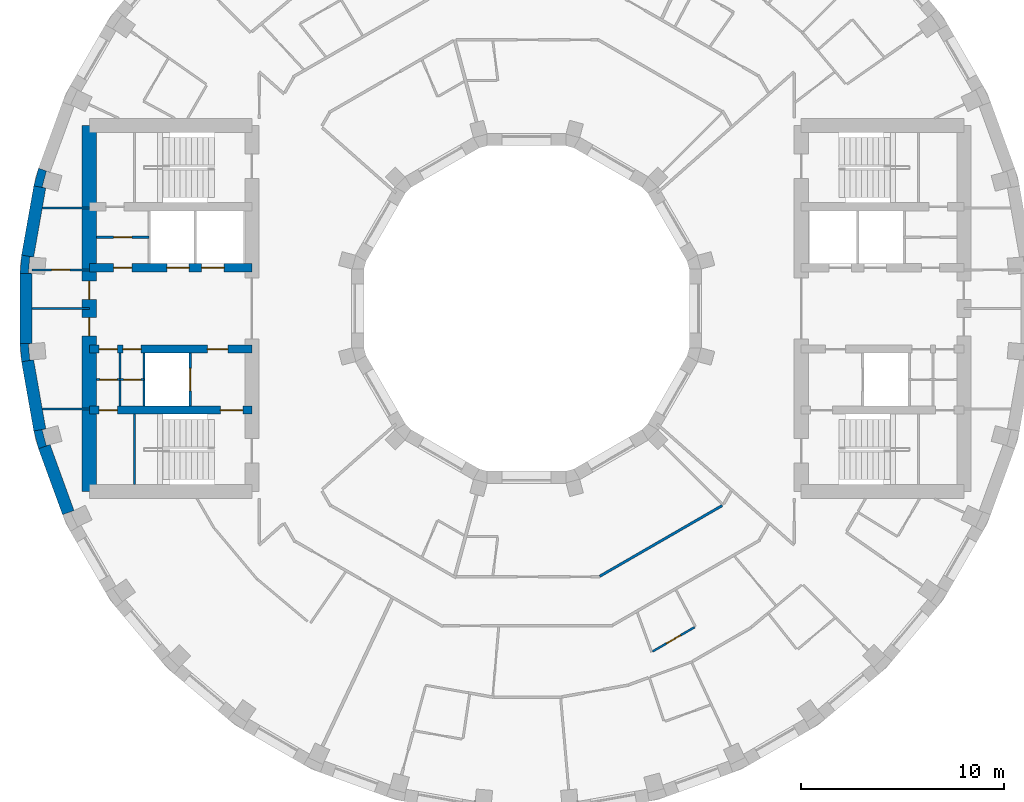
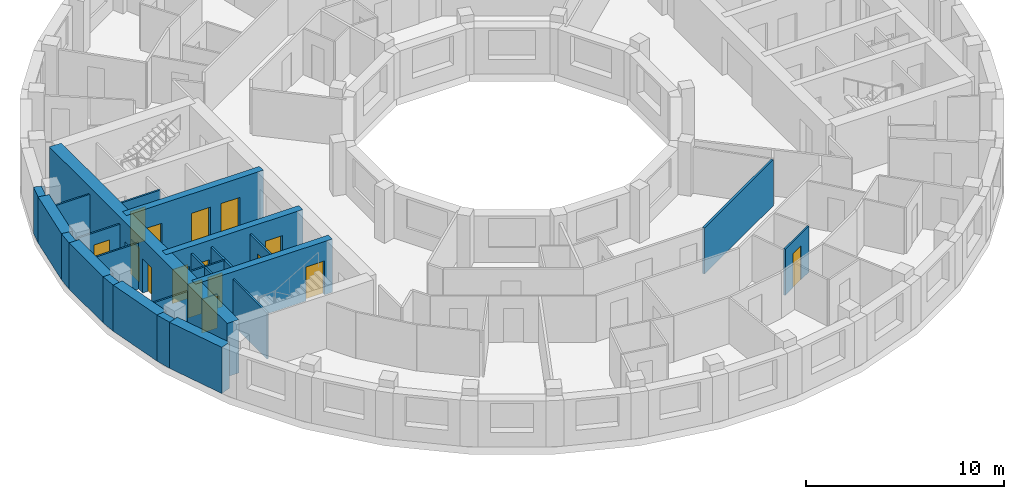
# One storey, part 5 of 13: 25 walls, 16 doors, 16 openings.
"""IFC4 building model written with IfcOpenShell, lengths in metres."""

import ifcopenshell
import ifcopenshell.guid

model = None  # the IFC model being written
_history = None  # IfcOwnerHistory: only IFC2X3 demands one
_inside = {}  # id of a spatial element -> (the spatial element, [elements in it])
_under = {}  # id of a project, library or spatial element -> (it, [spatial elements below it])
_declared = {}  # id of a project -> (the project, [libraries it declares])
_typed = {}  # id of a type object -> (the type object, [elements of that type])
_made_of = {}  # id of a material, layer set ... -> (it, [elements and type objects made of it])


def new_model(schema):
    """Start an empty IFC model of exactly this schema.

    Asked for "IFC4X3", IfcOpenShell would pick the latest addendum, in which some entities
    have other attributes; the version numbers below select the first issue.
    IFC2X3 requires an IfcOwnerHistory on every rooted entity: one is made here for all.
    """
    global model, _history
    if schema == "IFC4X3":
        model = ifcopenshell.file(schema_version=(4, 3, 0, 0))
    else:
        model = ifcopenshell.file(schema=schema)
    _inside.clear()
    _under.clear()
    _declared.clear()
    _typed.clear()
    _made_of.clear()
    _history = None
    if model.schema == "IFC2X3":
        org = make("IfcOrganization", Name="unknown")
        user = make(
            "IfcPersonAndOrganization",
            ThePerson=make("IfcPerson", FamilyName="unknown"),
            TheOrganization=org,
        )
        app = make(
            "IfcApplication",
            ApplicationDeveloper=org,
            Version="unknown",
            ApplicationFullName="unknown",
            ApplicationIdentifier="unknown",
        )
        _history = make(
            "IfcOwnerHistory",
            OwningUser=user,
            OwningApplication=app,
            ChangeAction="ADDED",
            CreationDate=0,
        )
    return model


def make(cls, **values):
    """One entity of the class cls with the attributes given. An attribute that is None is left unset."""
    return model.create_entity(
        cls, **{name: value for name, value in values.items() if value is not None}
    )


def rooted(cls, **values):
    """An entity with a GlobalId (a new one), such as an element, a storey or a relation."""
    return make(cls, GlobalId=ifcopenshell.guid.new(), OwnerHistory=_history, **values)


def si_unit(unit_type, name, prefix=None):
    """IfcSIUnit, for example si_unit("LENGTHUNIT", "METRE", prefix="MILLI")."""
    return make("IfcSIUnit", UnitType=unit_type, Prefix=prefix, Name=name)


def assignment(units):
    """IfcUnitAssignment: the units of a project."""
    return None if units is None else make("IfcUnitAssignment", Units=units)


def point(xyz):
    """IfcCartesianPoint."""
    return None if xyz is None else make("IfcCartesianPoint", Coordinates=xyz)


def direction(xyz):
    """IfcDirection."""
    return None if xyz is None else make("IfcDirection", DirectionRatios=xyz)


def frame(location, z_axis=None, x_axis=None):
    """IfcAxis2Placement3D, a coordinate frame: its origin and axes. An axis left out is left unset."""
    return make(
        "IfcAxis2Placement3D",
        Location=point(location),
        Axis=direction(z_axis),
        RefDirection=direction(x_axis),
    )


def frame_2d(location, x_axis=None):
    """IfcAxis2Placement2D, a coordinate frame in the plane: its origin and x axis."""
    return make(
        "IfcAxis2Placement2D", Location=point(location), RefDirection=direction(x_axis)
    )


def origin():
    """The frame at (0, 0, 0) with its axes left unset."""
    return frame((0.0, 0.0, 0.0))


def place(relative_to, where):
    """IfcLocalPlacement: puts the frame where relative to a parent placement (None: the world)."""
    return make(
        "IfcLocalPlacement", PlacementRelTo=relative_to, RelativePlacement=where
    )


def context(
    kind, dimensions, precision=None, world=None, true_north=None, identifier=None
):
    """IfcGeometricRepresentationContext, for example the 3D "Model" context."""
    return make(
        "IfcGeometricRepresentationContext",
        ContextIdentifier=identifier,
        ContextType=kind,
        CoordinateSpaceDimension=dimensions,
        Precision=precision,
        WorldCoordinateSystem=world,
        TrueNorth=true_north,
    )


def subcontext(parent, identifier, kind, view, scale=None):
    """IfcGeometricRepresentationSubContext, for example "Body" below "Model"."""
    return make(
        "IfcGeometricRepresentationSubContext",
        ContextIdentifier=identifier,
        ContextType=kind,
        ParentContext=parent,
        TargetScale=scale,
        TargetView=view,
    )


def project(units=None, contexts=None):
    """IfcProject with its units and contexts."""
    return rooted(
        "IfcProject",
        Name="project",
        RepresentationContexts=contexts,
        UnitsInContext=assignment(units),
    )


def spatial(cls, under=None, at=None, **own):
    """A site, building, storey or space (cls), placed at a placement, below another one or the project."""
    s = rooted(cls, ObjectPlacement=at, **own)
    if under is not None:
        _under.setdefault(under.id(), (under, []))[1].append(s)
    return s


def polyline(points):
    """IfcPolyline through the points."""
    return make("IfcPolyline", Points=[point(p) for p in points])


def profile(cls, at=None, kind="AREA", **sizes):
    """A parametric profile (cls). Its sizes go by their IFC names, for example OverallWidth=200.0."""
    return make(cls, ProfileType=kind, Position=at, **sizes)


def rectangle(**sizes):
    """IfcRectangleProfileDef."""
    return profile("IfcRectangleProfileDef", **sizes)


def outline(outer, holes=None, kind="AREA"):
    """IfcArbitraryClosedProfileDef: a profile drawn as a closed curve; with holes, ...WithVoids."""
    if holes is None:
        return make("IfcArbitraryClosedProfileDef", ProfileType=kind, OuterCurve=outer)
    return make(
        "IfcArbitraryProfileDefWithVoids",
        ProfileType=kind,
        OuterCurve=outer,
        InnerCurves=holes,
    )


def extrude(swept, where, along, depth):
    """IfcExtrudedAreaSolid: the profile swept, set in the frame where, extruded along a direction by depth."""
    return make(
        "IfcExtrudedAreaSolid",
        SweptArea=swept,
        Position=where,
        ExtrudedDirection=direction(along),
        Depth=depth,
    )


def shape(context_of_items, identifier, shape_type, items):
    """IfcShapeRepresentation: the items that make up one representation, for example the "Body"."""
    return make(
        "IfcShapeRepresentation",
        ContextOfItems=context_of_items,
        RepresentationIdentifier=identifier,
        RepresentationType=shape_type,
        Items=items,
    )


def material(Name=None, Category=None):
    """IfcMaterial."""
    return make("IfcMaterial", Name=Name, Category=Category)


def layer(
    of_material, thickness, ventilated=None, Name=None, Category=None, Priority=None
):
    """IfcMaterialLayer: one layer of a wall or slab, of a material (None: an air gap)."""
    return make(
        "IfcMaterialLayer",
        Material=of_material,
        LayerThickness=thickness,
        IsVentilated=ventilated,
        Name=Name,
        Category=Category,
        Priority=Priority,
    )


def layer_set(layers, Name=None):
    """IfcMaterialLayerSet."""
    return make("IfcMaterialLayerSet", MaterialLayers=layers, LayerSetName=Name)


def made_of(thing, what):
    """Note that an element or type object is made of a material, layer set ...; save() writes the relation."""
    if what is not None:
        _made_of.setdefault(what.id(), (what, []))[1].append(thing)
    return thing


def type_object(cls, material=None, **own):
    """A type object (cls), such as IfcWallType, which elements share."""
    return made_of(rooted(cls, **own), material)


def element(
    cls,
    number,
    at=None,
    inside=None,
    cuts=None,
    type_object=None,
    material=None,
    context=None,
    identifier="Body",
    shape_type=None,
    held_by="IfcProductDefinitionShape",
    body=None,
    shapes=None,
    **own,
):
    """One element of the class cls, such as IfcWall. Its Tag is "e" and its number.

    at: its placement. inside: the storey or other place that contains it. cuts: it is an
    opening in that element (IfcRelVoidsElement). A single representation is given by context,
    identifier, shape_type and body (its items); several are given by shapes. held_by: the class
    of the entity that holds the representations. save() writes the other relations.
    """
    e = rooted(cls, Tag="e%d" % number, ObjectPlacement=at, **own)
    if body is not None:
        shapes = [shape(context, identifier, shape_type, body)]
    if shapes is not None:
        e.Representation = make(held_by, Representations=shapes)
    if inside is not None:
        _inside.setdefault(inside.id(), (inside, []))[1].append(e)
    if cuts is not None:
        rooted(
            "IfcRelVoidsElement", RelatingBuildingElement=cuts, RelatedOpeningElement=e
        )
    if type_object is not None:
        _typed.setdefault(type_object.id(), (type_object, []))[1].append(e)
    return made_of(e, material)


def fill(opening, filler):
    """IfcRelFillsElement: the door or window that sits in an opening."""
    return rooted(
        "IfcRelFillsElement",
        RelatingOpeningElement=opening,
        RelatedBuildingElement=filler,
    )


def aggregate(whole, parts):
    """IfcRelAggregates: a whole, such as a stair, and the parts it consists of."""
    return rooted("IfcRelAggregates", RelatingObject=whole, RelatedObjects=parts)


def save(model, path):
    """Write the relations noted so far, then the file.

    IfcRelAggregates (storeys below a building ...), IfcRelContainedInSpatialStructure (elements
    in a storey), IfcRelDefinesByType, IfcRelAssociatesMaterial and IfcRelDeclares: one each for
    every whole, place, type object, material and project.
    """
    for whole, parts in _under.values():
        aggregate(whole, parts)
    for where, things in _inside.values():
        rooted(
            "IfcRelContainedInSpatialStructure",
            RelatedElements=things,
            RelatingStructure=where,
        )
    for kind, things in _typed.values():
        rooted("IfcRelDefinesByType", RelatedObjects=things, RelatingType=kind)
    for what, things in _made_of.values():
        rooted("IfcRelAssociatesMaterial", RelatedObjects=things, RelatingMaterial=what)
    for by, libraries in _declared.values():
        rooted("IfcRelDeclares", RelatingContext=by, RelatedDefinitions=libraries)
    model.write(path)


model = new_model("IFC4")

# Units and contexts
model_context = context("Model", 3, precision=1e-05, world=origin(), true_north=direction((0.0, 1.0)))
body_context = subcontext(model_context, "Body", "Model", "MODEL_VIEW")
ifc_project = project(units=[si_unit("LENGTHUNIT", "METRE"), si_unit("AREAUNIT", "SQUARE_METRE"), si_unit("VOLUMEUNIT", "CUBIC_METRE"), si_unit("PLANEANGLEUNIT", "RADIAN"), si_unit("MASSUNIT", "GRAM", prefix="KILO")], contexts=[model_context])

# Site, building, storey
site_placement = place(None, origin())
site = spatial("IfcSite", under=ifc_project, at=site_placement, CompositionType="ELEMENT")
building_placement = place(site_placement, origin())
building = spatial("IfcBuilding", under=site, at=building_placement, Name="Saqina Gate Tower", CompositionType="ELEMENT")
storey_placement = place(building_placement, frame((0.0, 0.0, 203.699951171875)))
storey = spatial("IfcBuildingStorey", under=building, at=storey_placement, Name="L58", CompositionType="ELEMENT", Elevation=203.699951171875)

# Walls
ifc_material_1 = material(Name="Brick masonry (buff)", Category="masonry")
wall_type_1 = type_object("IfcWallType", Name="BRICK PIER COPING BUFF", PredefinedType="SOLIDWALL", material=ifc_material_1)
wall_1_placement = place(storey_placement, origin())
element("IfcWall", 1, at=wall_1_placement, inside=storey, type_object=wall_type_1, Name="Pier cap L58 column 17", PredefinedType="SOLIDWALL", context=body_context, shape_type="SweptSolid", body=[
    extrude(outline(polyline([(-24.22705078125, 6.0234375), (-23.635986328125, 5.919189453125), (-23.81689453125, 5.967529296875), (-23.610107421875, 6.740478515625), (-23.428955078125, 6.69189453125), (-23.992919921875, 6.897216796875), (-24.22705078125, 6.0234375)])), origin(), (0.0, 0.0, 1.0), 2.85009765625),
])
wall_2_placement = place(storey_placement, origin())
element("IfcWall", 2, at=wall_2_placement, inside=storey, type_object=wall_type_1, Name="Pier cap L58 column 18", PredefinedType="SOLIDWALL", context=body_context, shape_type="SweptSolid", body=[
    extrude(outline(polyline([(-24.825927734375, 2.6259765625), (-24.90478515625, 1.724853515625), (-24.304931640625, 1.724853515625), (-24.491455078125, 1.7412109375), (-24.421630859375, 2.5380859375), (-24.235107421875, 2.521728515625), (-24.825927734375, 2.6259765625)])), origin(), (0.0, 0.0, 1.0), 2.85009765625),
])
wall_3_placement = place(storey_placement, origin())
element("IfcWall", 3, at=wall_3_placement, inside=storey, type_object=wall_type_1, Name="Pier cap L58 column 19", PredefinedType="SOLIDWALL", context=body_context, shape_type="SweptSolid", body=[
    extrude(outline(polyline([(-24.90478515625, -1.724853515625), (-24.825927734375, -2.6259765625), (-24.235107421875, -2.521728515625), (-24.421630859375, -2.5380859375), (-24.491455078125, -1.7412109375), (-24.304931640625, -1.724853515625), (-24.90478515625, -1.724853515625)])), origin(), (0.0, 0.0, 1.0), 2.85009765625),
])
wall_4_placement = place(storey_placement, origin())
element("IfcWall", 4, at=wall_4_placement, inside=storey, type_object=wall_type_1, Name="Pier cap L58 column 20", PredefinedType="SOLIDWALL", context=body_context, shape_type="SweptSolid", body=[
    extrude(outline(polyline([(-24.22705078125, -6.0234375), (-23.992919921875, -6.897216796875), (-23.428955078125, -6.69189453125), (-23.610107421875, -6.740478515625), (-23.81689453125, -5.967529296875), (-23.635986328125, -5.919189453125), (-24.22705078125, -6.0234375)])), origin(), (0.0, 0.0, 1.0), 2.85009765625),
])
ifc_material_2 = material(Name="Gypsum board on steel studs", Category="steel")
ifc_layer_1 = layer(ifc_material_2, 0.10009765625)
ifc_layer_set_1 = layer_set([ifc_layer_1], Name="CORE PARTITION")
wall_type_2 = type_object("IfcWallType", Name="CORE PARTITION", PredefinedType="PARTITIONING", material=ifc_layer_set_1)
wall_5_placement = place(storey_placement, frame((-21.5, 4.949951171875, 0.0), z_axis=(0.0, 0.0, 1.0), x_axis=(-1.0, 0.0, 0.0)))
element("IfcWall", 5, at=wall_5_placement, inside=storey, type_object=wall_type_2, Name="L58-CP-W01", PredefinedType="PARTITIONING", context=body_context, shape_type="SweptSolid", body=[
    extrude(rectangle(XDim=2.306884765625, YDim=0.10009765625, at=frame_2d((1.1533203125, 0.0))), origin(), (0.0, 0.0, 1.0), 2.85009765625),
])

# Wall, opening, door
wall_6_placement = place(storey_placement, frame((-21.5, 1.89990234375, 0.0), z_axis=(0.0, 0.0, 1.0), x_axis=(-1.0, 0.0, 0.0)))
wall_6 = element("IfcWall", 6, at=wall_6_placement, inside=storey, type_object=wall_type_2, Name="L58-CP-W02", PredefinedType="PARTITIONING", context=body_context, shape_type="SweptSolid", body=[
    extrude(rectangle(XDim=2.804931640625, YDim=0.10009765625, at=frame_2d((1.40234375, 0.0))), origin(), (0.0, 0.0, 1.0), 2.85009765625),
])
opening_1_placement = place(wall_6_placement, frame((0.952392578125, 0.0, 0.0)))
opening_1 = element("IfcOpeningElement", 7, at=opening_1_placement, cuts=wall_6, Name="Opening G17-D110", PredefinedType="OPENING", context=body_context, shape_type="SweptSolid", body=[
    extrude(rectangle(XDim=0.89990234375, YDim=2.10009765625, at=frame_2d((0.449951171875, 1.050048828125))), frame((0.0, 0.06201171875, 0.0), z_axis=(0.0, -1.0, 0.0), x_axis=(1.0, 0.0, 0.0)), (0.0, 0.0, 1.0), 0.1240234375),
])
ifc_material_3 = material(Name="Steel-framed fire door leaf, EI 60", Category="steel")
door_type_1 = type_object("IfcDoorType", Name="SERVICE ROOM DOOR 900", OperationType="SINGLE_SWING_LEFT", PredefinedType="DOOR", material=ifc_material_3)
door_1_placement = place(opening_1_placement, frame((0.89990234375, 0.0, 0.0), z_axis=(0.0, 0.0, 1.0), x_axis=(-1.0, 0.0, 0.0)))
door_1 = element("IfcDoor", 8, at=door_1_placement, inside=storey, type_object=door_type_1, Name="L58-CD-W21", OperationType="SINGLE_SWING_RIGHT", OverallHeight=2.10009765625, OverallWidth=0.89990234375, PredefinedType="DOOR", context=body_context, shape_type="SweptSolid", body=[
    extrude(rectangle(XDim=0.89990234375, YDim=2.10009765625, at=frame_2d((0.449951171875, 1.050048828125))), frame((0.0, 0.02490234375, 0.0), z_axis=(0.0, -1.0, 0.0), x_axis=(1.0, 0.0, 0.0)), (0.0, 0.0, 1.0), 0.050048828125),
])
fill(opening_1, door_1)

# Walls
wall_7_placement = place(storey_placement, frame((-21.5, -4.949951171875, 0.0), z_axis=(0.0, 0.0, 1.0), x_axis=(-1.0, 0.0, 0.0)))
element("IfcWall", 9, at=wall_7_placement, inside=storey, type_object=wall_type_2, Name="L58-CP-W03", PredefinedType="PARTITIONING", context=body_context, shape_type="SweptSolid", body=[
    extrude(rectangle(XDim=2.306884765625, YDim=0.10009765625, at=frame_2d((1.1533203125, 0.0))), origin(), (0.0, 0.0, 1.0), 2.85009765625),
])
wall_8_placement = place(storey_placement, frame((-21.5, 0.0, 0.0), z_axis=(0.0, 0.0, 1.0), x_axis=(-1.0, 0.0, 0.0)))
element("IfcWall", 10, at=wall_8_placement, inside=storey, type_object=wall_type_2, Name="L58-CP-W04", PredefinedType="PARTITIONING", context=body_context, shape_type="SweptSolid", body=[
    extrude(rectangle(XDim=2.804931640625, YDim=0.10009765625, at=frame_2d((1.40234375, 0.0))), origin(), (0.0, 0.0, 1.0), 2.85009765625),
])
wall_9_placement = place(storey_placement, frame((-19.97998046875, -4.800048828125, 0.0), z_axis=(0.0, 0.0, 1.0), x_axis=(0.0, 1.0, 0.0)))
element("IfcWall", 11, at=wall_9_placement, inside=storey, type_object=wall_type_2, Name="L58-CP-W09", PredefinedType="PARTITIONING", context=body_context, shape_type="SweptSolid", body=[
    extrude(rectangle(XDim=2.60009765625, YDim=0.10009765625, at=frame_2d((1.300048828125, 0.0))), origin(), (0.0, 0.0, 1.0), 2.85009765625),
])

# Wall, opening, door
wall_10_placement = place(storey_placement, frame((-18.56005859375, 3.5, 0.0), z_axis=(0.0, 0.0, 1.0), x_axis=(-1.0, 0.0, 0.0)))
wall_10 = element("IfcWall", 12, at=wall_10_placement, inside=storey, type_object=wall_type_2, Name="L58-CP-W10", PredefinedType="PARTITIONING", context=body_context, shape_type="SweptSolid", body=[
    extrude(rectangle(XDim=2.58984375, YDim=0.10009765625, at=frame_2d((1.294921875, 0.0))), origin(), (0.0, 0.0, 1.0), 2.85009765625),
])
opening_2_placement = place(wall_10_placement, frame((0.844970703125, 0.0, 0.0)))
opening_2 = element("IfcOpeningElement", 13, at=opening_2_placement, cuts=wall_10, Name="Opening G17-D113", PredefinedType="OPENING", context=body_context, shape_type="SweptSolid", body=[
    extrude(rectangle(XDim=0.89990234375, YDim=2.10009765625, at=frame_2d((0.449951171875, 1.050048828125))), frame((0.0, 0.06201171875, 0.0), z_axis=(0.0, -1.0, 0.0), x_axis=(1.0, 0.0, 0.0)), (0.0, 0.0, 1.0), 0.1240234375),
])
door_2_placement = place(opening_2_placement, frame((0.89990234375, 0.0, 0.0), z_axis=(0.0, 0.0, 1.0), x_axis=(-1.0, 0.0, 0.0)))
door_2 = element("IfcDoor", 14, at=door_2_placement, inside=storey, type_object=door_type_1, Name="L58-CD-W24", OperationType="SINGLE_SWING_LEFT", OverallHeight=2.10009765625, OverallWidth=0.89990234375, PredefinedType="DOOR", context=body_context, shape_type="SweptSolid", body=[
    extrude(rectangle(XDim=0.89990234375, YDim=2.10009765625, at=frame_2d((0.449951171875, 1.050048828125))), frame((0.0, 0.02490234375, 0.0), z_axis=(0.0, -1.0, 0.0), x_axis=(1.0, 0.0, 0.0)), (0.0, 0.0, 1.0), 0.050048828125),
])
fill(opening_2, door_2)

wall_11_placement = place(storey_placement, frame((-18.81005859375, -3.5, 0.0), z_axis=(0.0, 0.0, 1.0), x_axis=(-1.0, 0.0, 0.0)))
wall_11 = element("IfcWall", 15, at=wall_11_placement, inside=storey, type_object=wall_type_2, Name="L58-CP-W11", PredefinedType="PARTITIONING", context=body_context, shape_type="SweptSolid", body=[
    extrude(rectangle(XDim=1.169921875, YDim=0.10009765625, at=frame_2d((0.5849609375, 0.0))), origin(), (0.0, 0.0, 1.0), 2.85009765625),
])
opening_3_placement = place(wall_11_placement, frame((0.14990234375, 0.0, 0.0)))
opening_3 = element("IfcOpeningElement", 16, at=opening_3_placement, cuts=wall_11, Name="Opening G17-D115", PredefinedType="OPENING", context=body_context, shape_type="SweptSolid", body=[
    extrude(rectangle(XDim=0.85009765625, YDim=2.10009765625, at=frame_2d((0.425048828125, 1.050048828125))), frame((0.0, 0.06201171875, 0.0), z_axis=(0.0, -1.0, 0.0), x_axis=(1.0, 0.0, 0.0)), (0.0, 0.0, 1.0), 0.1240234375),
])
ifc_material_4 = material(Name="Steel-framed fire door leaf, EI 60", Category="steel")
door_type_2 = type_object("IfcDoorType", Name="SERVICE ROOM DOOR 850", OperationType="SINGLE_SWING_LEFT", PredefinedType="DOOR", material=ifc_material_4)
door_3_placement = place(opening_3_placement, origin())
door_3 = element("IfcDoor", 17, at=door_3_placement, inside=storey, type_object=door_type_2, Name="L58-CD-W26", OperationType="SINGLE_SWING_LEFT", OverallHeight=2.10009765625, OverallWidth=0.85009765625, PredefinedType="DOOR", context=body_context, shape_type="SweptSolid", body=[
    extrude(rectangle(XDim=0.85009765625, YDim=2.10009765625, at=frame_2d((0.425048828125, 1.050048828125))), frame((0.0, 0.02490234375, 0.0), z_axis=(0.0, -1.0, 0.0), x_axis=(1.0, 0.0, 0.0)), (0.0, 0.0, 1.0), 0.050048828125),
])
fill(opening_3, door_3)

wall_12_placement = place(storey_placement, frame((-19.97998046875, -3.5, 0.0), z_axis=(0.0, 0.0, 1.0), x_axis=(-1.0, 0.0, 0.0)))
wall_12 = element("IfcWall", 18, at=wall_12_placement, inside=storey, type_object=wall_type_2, Name="L58-CP-W12", PredefinedType="PARTITIONING", context=body_context, shape_type="SweptSolid", body=[
    extrude(rectangle(XDim=1.169921875, YDim=0.10009765625, at=frame_2d((0.5849609375, 0.0))), origin(), (0.0, 0.0, 1.0), 2.85009765625),
])
opening_4_placement = place(wall_12_placement, frame((0.14990234375, 0.0, 0.0)))
opening_4 = element("IfcOpeningElement", 19, at=opening_4_placement, cuts=wall_12, Name="Opening G17-D116", PredefinedType="OPENING", context=body_context, shape_type="SweptSolid", body=[
    extrude(rectangle(XDim=0.85009765625, YDim=2.10009765625, at=frame_2d((0.425048828125, 1.050048828125))), frame((0.0, 0.06201171875, 0.0), z_axis=(0.0, -1.0, 0.0), x_axis=(1.0, 0.0, 0.0)), (0.0, 0.0, 1.0), 0.1240234375),
])
door_4_placement = place(opening_4_placement, origin())
door_4 = element("IfcDoor", 20, at=door_4_placement, inside=storey, type_object=door_type_2, Name="L58-CD-W27", OperationType="SINGLE_SWING_RIGHT", OverallHeight=2.10009765625, OverallWidth=0.85009765625, PredefinedType="DOOR", context=body_context, shape_type="SweptSolid", body=[
    extrude(rectangle(XDim=0.85009765625, YDim=2.10009765625, at=frame_2d((0.425048828125, 1.050048828125))), frame((0.0, 0.02490234375, 0.0), z_axis=(0.0, -1.0, 0.0), x_axis=(1.0, 0.0, 0.0)), (0.0, 0.0, 1.0), 0.050048828125),
])
fill(opening_4, door_4)

# Walls
ifc_material_5 = material(Name="Glazed ceramic tile", Category="ceramic")
ifc_layer_2 = layer(ifc_material_5, 0.60009765625)
ifc_layer_set_2 = layer_set([ifc_layer_2], Name="FW-TILE")
wall_type_3 = type_object("IfcWallType", Name="FW-TILE", PredefinedType="SOLIDWALL", material=ifc_layer_set_2)
for number, where, z_axis, x_axis, name in (
    (21, (-23.931640625, 5.97119140625, 0.0), (0.0, 0.0, 1.0), (-0.173607684551, -0.984814892183, 0.0), "Facade wall L58 facet 17"),
    (22, (-24.530517578125, -2.573974609375, 0.0), (0.0, 0.0, 1.0), (0.173607684551, -0.984814892183, 0.0), "Facade wall L58 facet 19"),
):
    element("IfcWall", number, at=place(storey_placement, frame(where, z_axis=z_axis, x_axis=x_axis)), inside=storey, type_object=wall_type_3, Name=name, PredefinedType="SOLIDWALL", context=body_context, shape_type="SweptSolid", body=[
        extrude(rectangle(XDim=3.44970703125, YDim=0.60009765625, at=frame_2d((1.724853515625, 0.0))), origin(), (0.0, 0.0, 1.0), 2.85009765625),
    ])
ifc_material_6 = material(Name="Glazed ceramic tile (dark blue)", Category="ceramic")
ifc_layer_3 = layer(ifc_material_6, 0.60009765625)
ifc_layer_set_3 = layer_set([ifc_layer_3], Name="FW-TILE-CB")
wall_type_4 = type_object("IfcWallType", Name="FW-TILE-CB", PredefinedType="SOLIDWALL", material=ifc_layer_set_3)
wall_13_placement = place(storey_placement, frame((-23.7109375, -6.79443359375, 0.0), z_axis=(0.0, 0.0, 1.0), x_axis=(0.342032843455, -0.93968799822, 0.0)))
element("IfcWall", 23, at=wall_13_placement, inside=storey, type_object=wall_type_4, Name="Facade wall L58 facet 20", PredefinedType="SOLIDWALL", context=body_context, shape_type="SweptSolid", body=[
    extrude(rectangle(XDim=3.44970703125, YDim=0.60009765625, at=frame_2d((1.724853515625, 0.0))), origin(), (0.0, 0.0, 1.0), 2.85009765625),
])
ifc_material_7 = material(Name="Glazed ceramic tile (white)", Category="ceramic")
ifc_layer_4 = layer(ifc_material_7, 0.60009765625)
ifc_layer_set_4 = layer_set([ifc_layer_4], Name="FW-TILE-WH")
wall_type_5 = type_object("IfcWallType", Name="FW-TILE-WH", PredefinedType="SOLIDWALL", material=ifc_layer_set_4)
wall_14_placement = place(storey_placement, frame((-24.60498046875, 1.724853515625, 0.0), z_axis=(0.0, 0.0, 1.0), x_axis=(0.0, -1.0, 0.0)))
element("IfcWall", 24, at=wall_14_placement, inside=storey, type_object=wall_type_5, Name="Facade wall L58 facet 18", PredefinedType="SOLIDWALL", context=body_context, shape_type="SweptSolid", body=[
    extrude(rectangle(XDim=3.44970703125, YDim=0.60009765625, at=frame_2d((1.724853515625, 0.0))), origin(), (0.0, 0.0, 1.0), 2.85009765625),
])

# Wall, opening, door
ifc_material_8 = material(Name="Gypsum board on steel studs, 100 mm", Category="steel")
ifc_layer_5 = layer(ifc_material_8, 0.10009765625)
ifc_layer_set_5 = layer_set([ifc_layer_5], Name="PARTITION 100")
wall_type_6 = type_object("IfcWallType", Name="PARTITION 100", PredefinedType="PARTITIONING", material=ifc_layer_set_5)
wall_15_placement = place(storey_placement, frame((6.192138671875, -16.863037109375, 0.0), z_axis=(0.0, 0.0, 1.0), x_axis=(0.866112296403, 0.49984946736, 0.0)))
wall_15 = element("IfcWall", 25, at=wall_15_placement, inside=storey, type_object=wall_type_6, Name="PARTITION PW3-42", PredefinedType="PARTITIONING", context=body_context, shape_type="SweptSolid", body=[
    extrude(rectangle(XDim=2.385009765625, YDim=0.10009765625, at=frame_2d((1.1923828125, 0.0))), origin(), (0.0, 0.0, 1.0), 2.85009765625),
])
opening_5_placement = place(wall_15_placement, frame((0.79150390625, 0.0, 0.0)))
opening_5 = element("IfcOpeningElement", 26, at=opening_5_placement, cuts=wall_15, Name="Opening G17-D41", PredefinedType="OPENING", context=body_context, shape_type="SweptSolid", body=[
    extrude(rectangle(XDim=0.800048828125, YDim=2.10009765625, at=frame_2d((0.39990234375, 1.050048828125))), frame((0.0, 0.06201171875, 0.0), z_axis=(0.0, -1.0, 0.0), x_axis=(1.0, 0.0, 0.0)), (0.0, 0.0, 1.0), 0.1240234375),
])
ifc_material_9 = material(Name="Timber door leaf, 800 mm", Category="wood")
door_type_3 = type_object("IfcDoorType", Name="DOOR 800 TIMBER", OperationType="SINGLE_SWING_LEFT", PredefinedType="DOOR", material=ifc_material_9)
door_5_placement = place(opening_5_placement, frame((0.800048828125, 0.0, 0.0), z_axis=(0.0, 0.0, 1.0), x_axis=(-1.0, 0.0, 0.0)))
door_5 = element("IfcDoor", 27, at=door_5_placement, inside=storey, type_object=door_type_3, Name="DOOR G17-D41", OperationType="SINGLE_SWING_RIGHT", OverallHeight=2.10009765625, OverallWidth=0.800048828125, PredefinedType="DOOR", context=body_context, shape_type="SweptSolid", body=[
    extrude(rectangle(XDim=0.800048828125, YDim=2.10009765625, at=frame_2d((0.39990234375, 1.050048828125))), frame((0.0, 0.02490234375, 0.0), z_axis=(0.0, -1.0, 0.0), x_axis=(1.0, 0.0, 0.0)), (0.0, 0.0, 1.0), 0.050048828125),
])
fill(opening_5, door_5)

# Wall
ifc_material_10 = material(Name="Gypsum board on steel studs, 125 mm, fire rated", Category="steel")
ifc_layer_6 = layer(ifc_material_10, 0.125)
ifc_layer_set_6 = layer_set([ifc_layer_6], Name="PARTITION EI 30 125")
wall_type_7 = type_object("IfcWallType", Name="PARTITION EI 30 125", PredefinedType="PARTITIONING", material=ifc_layer_set_6)
wall_16_placement = place(storey_placement, frame((3.591064453125, -13.168701171875, 0.0), z_axis=(0.0, 0.0, 1.0), x_axis=(0.866023753919, 0.50000285764, 0.0)))
element("IfcWall", 28, at=wall_16_placement, inside=storey, type_object=wall_type_7, Name="PARTITION PW1-30", PredefinedType="PARTITIONING", context=body_context, shape_type="SweptSolid", body=[
    extrude(rectangle(XDim=6.958984375, YDim=0.125, at=frame_2d((3.4794921875, 0.0))), origin(), (0.0, 0.0, 1.0), 2.85009765625),
])

# Wall, opening, door
ifc_material_11 = material(Name="Autoclaved aerated concrete block", Category="concrete")
ifc_layer_7 = layer(ifc_material_11, 0.1201171875)
ifc_layer_set_7 = layer_set([ifc_layer_7], Name="SHAFT PARTITION")
wall_type_8 = type_object("IfcWallType", Name="SHAFT PARTITION", PredefinedType="PARTITIONING", material=ifc_layer_set_7)
wall_17_placement = place(storey_placement, frame((-16.530029296875, -4.800048828125, 0.0), z_axis=(0.0, 0.0, 1.0), x_axis=(0.0, 1.0, 0.0)))
wall_17 = element("IfcWall", 29, at=wall_17_placement, inside=storey, type_object=wall_type_8, Name="L58-CP-W07", PredefinedType="PARTITIONING", context=body_context, shape_type="SweptSolid", body=[
    extrude(rectangle(XDim=2.60009765625, YDim=0.1201171875, at=frame_2d((1.300048828125, 0.0))), origin(), (0.0, 0.0, 1.0), 2.85009765625),
])
opening_6_placement = place(wall_17_placement, frame((0.75, 0.0, 0.0)))
opening_6 = element("IfcOpeningElement", 30, at=opening_6_placement, cuts=wall_17, Name="Opening G17-LD6", PredefinedType="OPENING", context=body_context, shape_type="SweptSolid", body=[
    extrude(rectangle(XDim=1.10009765625, YDim=2.10009765625, at=frame_2d((0.550048828125, 1.050048828125))), frame((0.0, 0.072021484375, 0.0), z_axis=(0.0, -1.0, 0.0), x_axis=(1.0, 0.0, 0.0)), (0.0, 0.0, 1.0), 0.14404296875),
])
ifc_material_12 = material(Name="Stainless steel", Category="steel")
door_type_4 = type_object("IfcDoorType", Name="LANDING DOOR", OperationType="DOUBLE_DOOR_SLIDING", PredefinedType="DOOR", material=ifc_material_12)
door_6_placement = place(opening_6_placement, origin())
door_6 = element("IfcDoor", 31, at=door_6_placement, inside=storey, type_object=door_type_4, Name="LANDING DOOR FF2", OperationType="DOUBLE_DOOR_SLIDING", OverallHeight=2.10009765625, OverallWidth=1.10009765625, PredefinedType="DOOR", context=body_context, shape_type="SweptSolid", body=[
    extrude(rectangle(XDim=1.10009765625, YDim=2.10009765625, at=frame_2d((0.550048828125, 1.050048828125))), frame((0.0, 0.02490234375, 0.0), z_axis=(0.0, -1.0, 0.0), x_axis=(1.0, 0.0, 0.0)), (0.0, 0.0, 1.0), 0.050048828125),
])
fill(opening_6, door_6)

# Walls
wall_18_placement = place(storey_placement, frame((-18.81005859375, -4.800048828125, 0.0), z_axis=(0.0, 0.0, 1.0), x_axis=(0.0, 1.0, 0.0)))
element("IfcWall", 32, at=wall_18_placement, inside=storey, type_object=wall_type_8, Name="L58-CP-W08", PredefinedType="PARTITIONING", context=body_context, shape_type="SweptSolid", body=[
    extrude(rectangle(XDim=2.60009765625, YDim=0.1201171875, at=frame_2d((1.300048828125, 0.0))), origin(), (0.0, 0.0, 1.0), 2.85009765625),
])
ifc_material_13 = material(Name="Autoclaved aerated concrete block", Category="concrete")
ifc_layer_8 = layer(ifc_material_13, 0.10009765625)
ifc_layer_set_8 = layer_set([ifc_layer_8], Name="STAIR ENCLOSURE WALL")
wall_type_9 = type_object("IfcWallType", Name="STAIR ENCLOSURE WALL", PredefinedType="PARTITIONING", material=ifc_layer_set_8)
wall_19_placement = place(storey_placement, frame((-19.27001953125, -8.64990234375, 0.0), z_axis=(0.0, 0.0, 1.0), x_axis=(0.0, 1.0, 0.0)))
element("IfcWall", 33, at=wall_19_placement, inside=storey, type_object=wall_type_9, Name="L58-CP-W14", PredefinedType="PARTITIONING", context=body_context, shape_type="SweptSolid", body=[
    extrude(rectangle(XDim=3.449951171875, YDim=0.10009765625, at=frame_2d((1.72509765625, 0.0))), origin(), (0.0, 0.0, 1.0), 2.85009765625),
])

# Wall, openings, doors
ifc_material_14 = material(Name="Concrete C60/75", Category="concrete")
ifc_layer_9 = layer(ifc_material_14, 0.39990234375)
ifc_layer_set_9 = layer_set([ifc_layer_9], Name="Concrete C60/75")
wall_type_10 = type_object("IfcWallType", Name="STR-CORE WALL-C-I", PredefinedType="SHEAR", material=ifc_layer_set_9)
wall_20_placement = place(storey_placement, frame((-13.5, -5.0, 0.0), z_axis=(0.0, 0.0, 1.0), x_axis=(-1.0, 0.0, 0.0)))
wall_20 = element("IfcWall", 34, at=wall_20_placement, inside=storey, type_object=wall_type_10, Name="CORE WALL L58 W-X2", PredefinedType="SHEAR", context=body_context, shape_type="SweptSolid", body=[
    extrude(rectangle(XDim=8.0, YDim=0.39990234375, at=frame_2d((4.0, 0.0))), origin(), (0.0, 0.0, 1.0), 3.300048828125),
])
opening_7_placement = place(wall_20_placement, frame((6.614990234375, 0.0, 0.0)))
opening_7 = element("IfcOpeningElement", 35, at=opening_7_placement, cuts=wall_20, Name="Opening G17-D117", PredefinedType="OPENING", context=body_context, shape_type="SweptSolid", body=[
    extrude(rectangle(XDim=0.89990234375, YDim=2.10009765625, at=frame_2d((0.449951171875, 1.050048828125))), frame((0.0, 0.2119140625, 0.0), z_axis=(0.0, -1.0, 0.0), x_axis=(1.0, 0.0, 0.0)), (0.0, 0.0, 1.0), 0.423828125),
])
opening_8_placement = place(wall_20_placement, frame((0.449951171875, 0.0, 0.0)))
opening_8 = element("IfcOpeningElement", 36, at=opening_8_placement, cuts=wall_20, Name="Opening G17-D118", PredefinedType="OPENING", context=body_context, shape_type="SweptSolid", body=[
    extrude(rectangle(XDim=1.10009765625, YDim=2.10009765625, at=frame_2d((0.550048828125, 1.050048828125))), frame((0.0, 0.2119140625, 0.0), z_axis=(0.0, -1.0, 0.0), x_axis=(1.0, 0.0, 0.0)), (0.0, 0.0, 1.0), 0.423828125),
])
ifc_material_15 = material(Name="Steel", Category="steel")
door_type_5 = type_object("IfcDoorType", Name="FIRE LOBBY DOOR EI 60 WIDE", OperationType="SINGLE_SWING_LEFT", PredefinedType="DOOR", material=ifc_material_15)
door_7_placement = place(opening_8_placement, origin())
door_7 = element("IfcDoor", 37, at=door_7_placement, inside=storey, type_object=door_type_5, Name="L58-CD-W29", OperationType="SINGLE_SWING_LEFT", OverallHeight=2.10009765625, OverallWidth=1.10009765625, PredefinedType="DOOR", context=body_context, shape_type="SweptSolid", body=[
    extrude(rectangle(XDim=1.10009765625, YDim=2.10009765625, at=frame_2d((0.550048828125, 1.050048828125))), frame((0.0, 0.02490234375, 0.0), z_axis=(0.0, -1.0, 0.0), x_axis=(1.0, 0.0, 0.0)), (0.0, 0.0, 1.0), 0.050048828125),
])
fill(opening_8, door_7)
door_8_placement = place(opening_7_placement, origin())
door_8 = element("IfcDoor", 38, at=door_8_placement, inside=storey, type_object=door_type_1, Name="L58-CD-W28", OperationType="SINGLE_SWING_RIGHT", OverallHeight=2.10009765625, OverallWidth=0.89990234375, PredefinedType="DOOR", context=body_context, shape_type="SweptSolid", body=[
    extrude(rectangle(XDim=0.89990234375, YDim=2.10009765625, at=frame_2d((0.449951171875, 1.050048828125))), frame((0.0, 0.02490234375, 0.0), z_axis=(0.0, -1.0, 0.0), x_axis=(1.0, 0.0, 0.0)), (0.0, 0.0, 1.0), 0.050048828125),
])
fill(opening_7, door_8)

wall_21_placement = place(storey_placement, frame((-13.5, 2.0, 0.0), z_axis=(0.0, 0.0, 1.0), x_axis=(-1.0, 0.0, 0.0)))
wall_21 = element("IfcWall", 39, at=wall_21_placement, inside=storey, type_object=wall_type_10, Name="CORE WALL L58 W-L1", PredefinedType="SHEAR", context=body_context, shape_type="SweptSolid", body=[
    extrude(rectangle(XDim=8.0, YDim=0.39990234375, at=frame_2d((4.0, 0.0))), origin(), (0.0, 0.0, 1.0), 3.300048828125),
])
opening_9_placement = place(wall_21_placement, frame((1.3701171875, 0.0, 0.0)))
opening_9 = element("IfcOpeningElement", 40, at=opening_9_placement, cuts=wall_21, Name="Opening G17-LD4", PredefinedType="OPENING", context=body_context, shape_type="SweptSolid", body=[
    extrude(rectangle(XDim=1.10009765625, YDim=2.10009765625, at=frame_2d((0.550048828125, 1.050048828125))), frame((0.0, 0.2119140625, 0.0), z_axis=(0.0, -1.0, 0.0), x_axis=(1.0, 0.0, 0.0)), (0.0, 0.0, 1.0), 0.423828125),
])
opening_10_placement = place(wall_21_placement, frame((3.090087890625, 0.0, 0.0)))
opening_10 = element("IfcOpeningElement", 41, at=opening_10_placement, cuts=wall_21, Name="Opening G17-LD5", PredefinedType="OPENING", context=body_context, shape_type="SweptSolid", body=[
    extrude(rectangle(XDim=1.10009765625, YDim=2.10009765625, at=frame_2d((0.550048828125, 1.050048828125))), frame((0.0, 0.2119140625, 0.0), z_axis=(0.0, -1.0, 0.0), x_axis=(1.0, 0.0, 0.0)), (0.0, 0.0, 1.0), 0.423828125),
])
opening_11_placement = place(wall_21_placement, frame((5.905029296875, 0.0, 0.0)))
opening_11 = element("IfcOpeningElement", 42, at=opening_11_placement, cuts=wall_21, Name="Opening G17-D106", PredefinedType="OPENING", context=body_context, shape_type="SweptSolid", body=[
    extrude(rectangle(XDim=0.89990234375, YDim=2.10009765625, at=frame_2d((0.449951171875, 1.050048828125))), frame((0.0, 0.2119140625, 0.0), z_axis=(0.0, -1.0, 0.0), x_axis=(1.0, 0.0, 0.0)), (0.0, 0.0, 1.0), 0.423828125),
])
door_9_placement = place(opening_9_placement, origin())
door_9 = element("IfcDoor", 43, at=door_9_placement, inside=storey, type_object=door_type_4, Name="LANDING DOOR HR3", OperationType="DOUBLE_DOOR_SLIDING", OverallHeight=2.10009765625, OverallWidth=1.10009765625, PredefinedType="DOOR", context=body_context, shape_type="SweptSolid", body=[
    extrude(rectangle(XDim=1.10009765625, YDim=2.10009765625, at=frame_2d((0.550048828125, 1.050048828125))), frame((0.0, 0.02490234375, 0.0), z_axis=(0.0, -1.0, 0.0), x_axis=(1.0, 0.0, 0.0)), (0.0, 0.0, 1.0), 0.050048828125),
])
fill(opening_9, door_9)
door_10_placement = place(opening_10_placement, origin())
door_10 = element("IfcDoor", 44, at=door_10_placement, inside=storey, type_object=door_type_4, Name="LANDING DOOR HR4", OperationType="DOUBLE_DOOR_SLIDING", OverallHeight=2.10009765625, OverallWidth=1.10009765625, PredefinedType="DOOR", context=body_context, shape_type="SweptSolid", body=[
    extrude(rectangle(XDim=1.10009765625, YDim=2.10009765625, at=frame_2d((0.550048828125, 1.050048828125))), frame((0.0, 0.02490234375, 0.0), z_axis=(0.0, -1.0, 0.0), x_axis=(1.0, 0.0, 0.0)), (0.0, 0.0, 1.0), 0.050048828125),
])
fill(opening_10, door_10)
door_11_placement = place(opening_11_placement, frame((0.89990234375, 0.0, 0.0), z_axis=(0.0, 0.0, 1.0), x_axis=(-1.0, 0.0, 0.0)))
door_11 = element("IfcDoor", 45, at=door_11_placement, inside=storey, type_object=door_type_1, Name="L58-CD-W17", OperationType="SINGLE_SWING_LEFT", OverallHeight=2.10009765625, OverallWidth=0.89990234375, PredefinedType="DOOR", context=body_context, shape_type="SweptSolid", body=[
    extrude(rectangle(XDim=0.89990234375, YDim=2.10009765625, at=frame_2d((0.449951171875, 1.050048828125))), frame((0.0, 0.02490234375, 0.0), z_axis=(0.0, -1.0, 0.0), x_axis=(1.0, 0.0, 0.0)), (0.0, 0.0, 1.0), 0.050048828125),
])
fill(opening_11, door_11)

wall_22_placement = place(storey_placement, frame((-13.5, -2.0, 0.0), z_axis=(0.0, 0.0, 1.0), x_axis=(-1.0, 0.0, 0.0)))
wall_22 = element("IfcWall", 46, at=wall_22_placement, inside=storey, type_object=wall_type_10, Name="CORE WALL L58 W-L2", PredefinedType="SHEAR", context=body_context, shape_type="SweptSolid", body=[
    extrude(rectangle(XDim=8.0, YDim=0.39990234375, at=frame_2d((4.0, 0.0))), origin(), (0.0, 0.0, 1.0), 3.300048828125),
])
opening_12_placement = place(wall_22_placement, frame((1.18994140625, 0.0, 0.0)))
opening_12 = element("IfcOpeningElement", 47, at=opening_12_placement, cuts=wall_22, Name="Opening G17-D107", PredefinedType="OPENING", context=body_context, shape_type="SweptSolid", body=[
    extrude(rectangle(XDim=1.0, YDim=2.10009765625, at=frame_2d((0.5, 1.050048828125))), frame((0.0, 0.2119140625, 0.0), z_axis=(0.0, -1.0, 0.0), x_axis=(1.0, 0.0, 0.0)), (0.0, 0.0, 1.0), 0.423828125),
])
opening_13_placement = place(wall_22_placement, frame((5.445068359375, 0.0, 0.0)))
opening_13 = element("IfcOpeningElement", 48, at=opening_13_placement, cuts=wall_22, Name="Opening G17-D108", PredefinedType="OPENING", context=body_context, shape_type="SweptSolid", body=[
    extrude(rectangle(XDim=0.89990234375, YDim=2.10009765625, at=frame_2d((0.449951171875, 1.050048828125))), frame((0.0, 0.2119140625, 0.0), z_axis=(0.0, -1.0, 0.0), x_axis=(1.0, 0.0, 0.0)), (0.0, 0.0, 1.0), 0.423828125),
])
opening_14_placement = place(wall_22_placement, frame((6.614990234375, 0.0, 0.0)))
opening_14 = element("IfcOpeningElement", 49, at=opening_14_placement, cuts=wall_22, Name="Opening G17-D109", PredefinedType="OPENING", context=body_context, shape_type="SweptSolid", body=[
    extrude(rectangle(XDim=0.89990234375, YDim=2.10009765625, at=frame_2d((0.449951171875, 1.050048828125))), frame((0.0, 0.2119140625, 0.0), z_axis=(0.0, -1.0, 0.0), x_axis=(1.0, 0.0, 0.0)), (0.0, 0.0, 1.0), 0.423828125),
])
ifc_material_16 = material(Name="Steel", Category="steel")
door_type_6 = type_object("IfcDoorType", Name="FIRE LOBBY DOOR EI 60", OperationType="SINGLE_SWING_LEFT", PredefinedType="DOOR", material=ifc_material_16)
door_12_placement = place(opening_12_placement, frame((1.0, 0.0, 0.0), z_axis=(0.0, 0.0, 1.0), x_axis=(-1.0, 0.0, 0.0)))
door_12 = element("IfcDoor", 50, at=door_12_placement, inside=storey, type_object=door_type_6, Name="L58-CD-W18", OperationType="SINGLE_SWING_RIGHT", OverallHeight=2.10009765625, OverallWidth=1.0, PredefinedType="DOOR", context=body_context, shape_type="SweptSolid", body=[
    extrude(rectangle(XDim=1.0, YDim=2.10009765625, at=frame_2d((0.5, 1.050048828125))), frame((0.0, 0.02490234375, 0.0), z_axis=(0.0, -1.0, 0.0), x_axis=(1.0, 0.0, 0.0)), (0.0, 0.0, 1.0), 0.050048828125),
])
fill(opening_12, door_12)
door_13_placement = place(opening_13_placement, origin())
door_13 = element("IfcDoor", 51, at=door_13_placement, inside=storey, type_object=door_type_1, Name="L58-CD-W19", OperationType="SINGLE_SWING_LEFT", OverallHeight=2.10009765625, OverallWidth=0.89990234375, PredefinedType="DOOR", context=body_context, shape_type="SweptSolid", body=[
    extrude(rectangle(XDim=0.89990234375, YDim=2.10009765625, at=frame_2d((0.449951171875, 1.050048828125))), frame((0.0, 0.02490234375, 0.0), z_axis=(0.0, -1.0, 0.0), x_axis=(1.0, 0.0, 0.0)), (0.0, 0.0, 1.0), 0.050048828125),
])
fill(opening_13, door_13)
door_14_placement = place(opening_14_placement, origin())
door_14 = element("IfcDoor", 52, at=door_14_placement, inside=storey, type_object=door_type_1, Name="L58-CD-W20", OperationType="SINGLE_SWING_RIGHT", OverallHeight=2.10009765625, OverallWidth=0.89990234375, PredefinedType="DOOR", context=body_context, shape_type="SweptSolid", body=[
    extrude(rectangle(XDim=0.89990234375, YDim=2.10009765625, at=frame_2d((0.449951171875, 1.050048828125))), frame((0.0, 0.02490234375, 0.0), z_axis=(0.0, -1.0, 0.0), x_axis=(1.0, 0.0, 0.0)), (0.0, 0.0, 1.0), 0.050048828125),
])
fill(opening_14, door_14)

ifc_material_17 = material(Name="Concrete C60/75", Category="concrete")
ifc_layer_10 = layer(ifc_material_17, 0.699951171875)
ifc_layer_set_10 = layer_set([ifc_layer_10], Name="Concrete C60/75")
wall_type_11 = type_object("IfcWallType", Name="STR-CORE WALL-C-O", PredefinedType="SHEAR", material=ifc_layer_set_10)
wall_23_placement = place(storey_placement, frame((-21.5, -9.0, 0.0), z_axis=(0.0, 0.0, 1.0), x_axis=(0.0, 1.0, 0.0)))
wall_23 = element("IfcWall", 53, at=wall_23_placement, inside=storey, type_object=wall_type_11, Name="CORE WALL L58 W-W2", PredefinedType="SHEAR", context=body_context, shape_type="SweptSolid", body=[
    extrude(rectangle(XDim=18.0, YDim=0.699951171875, at=frame_2d((9.0, 0.0))), origin(), (0.0, 0.0, 1.0), 3.300048828125),
])
opening_15_placement = place(wall_23_placement, frame((9.449951171875, 0.0, 0.0)))
opening_15 = element("IfcOpeningElement", 54, at=opening_15_placement, cuts=wall_23, Name="Opening G17-D111", PredefinedType="OPENING", context=body_context, shape_type="SweptSolid", body=[
    extrude(rectangle(XDim=0.89990234375, YDim=2.10009765625, at=frame_2d((0.449951171875, 1.050048828125))), frame((0.0, 0.362060546875, 0.0), z_axis=(0.0, -1.0, 0.0), x_axis=(1.0, 0.0, 0.0)), (0.0, 0.0, 1.0), 0.723876953125),
])
opening_16_placement = place(wall_23_placement, frame((7.64990234375, 0.0, 0.0)))
opening_16 = element("IfcOpeningElement", 55, at=opening_16_placement, cuts=wall_23, Name="Opening G17-D112", PredefinedType="OPENING", context=body_context, shape_type="SweptSolid", body=[
    extrude(rectangle(XDim=0.89990234375, YDim=2.10009765625, at=frame_2d((0.449951171875, 1.050048828125))), frame((0.0, 0.362060546875, 0.0), z_axis=(0.0, -1.0, 0.0), x_axis=(1.0, 0.0, 0.0)), (0.0, 0.0, 1.0), 0.723876953125),
])
door_15_placement = place(opening_15_placement, origin())
door_15 = element("IfcDoor", 56, at=door_15_placement, inside=storey, type_object=door_type_1, Name="L58-CD-W22", OperationType="SINGLE_SWING_RIGHT", OverallHeight=2.10009765625, OverallWidth=0.89990234375, PredefinedType="DOOR", context=body_context, shape_type="SweptSolid", body=[
    extrude(rectangle(XDim=0.89990234375, YDim=2.10009765625, at=frame_2d((0.449951171875, 1.050048828125))), frame((0.0, 0.02490234375, 0.0), z_axis=(0.0, -1.0, 0.0), x_axis=(1.0, 0.0, 0.0)), (0.0, 0.0, 1.0), 0.050048828125),
])
fill(opening_15, door_15)
door_16_placement = place(opening_16_placement, origin())
door_16 = element("IfcDoor", 57, at=door_16_placement, inside=storey, type_object=door_type_1, Name="L58-CD-W23", OperationType="SINGLE_SWING_RIGHT", OverallHeight=2.10009765625, OverallWidth=0.89990234375, PredefinedType="DOOR", context=body_context, shape_type="SweptSolid", body=[
    extrude(rectangle(XDim=0.89990234375, YDim=2.10009765625, at=frame_2d((0.449951171875, 1.050048828125))), frame((0.0, 0.02490234375, 0.0), z_axis=(0.0, -1.0, 0.0), x_axis=(1.0, 0.0, 0.0)), (0.0, 0.0, 1.0), 0.050048828125),
])
fill(opening_16, door_16)

save(model, "model.ifc")
